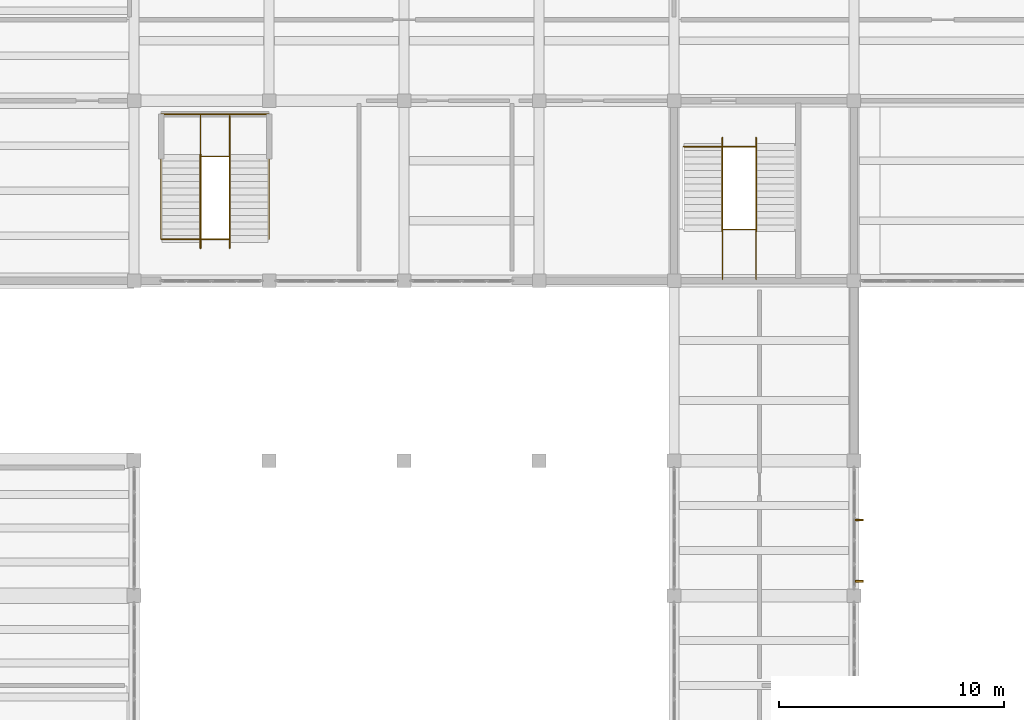
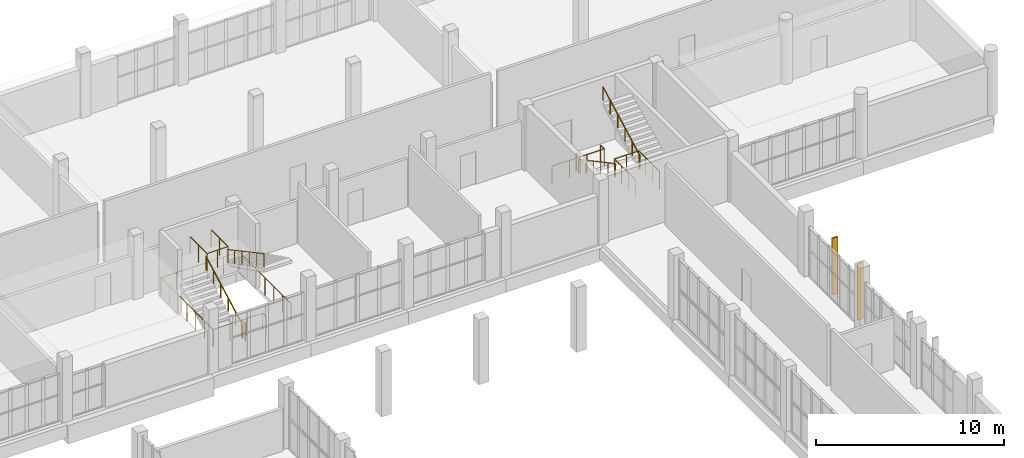
# One storey, part 82 of 85: 11 railings, 2 shading devices.
"""IFC4 building model written with IfcOpenShell, lengths in metres."""

from ifc_helpers import new_model, si_unit, direction, frame, origin, origin_2d, place, context, subcontext, project, spatial, rectangle, circle, extrude, material, type_object, element, save


model = new_model("IFC4")

# Units and contexts
model_context = context("Model", 3, precision=1e-05, world=origin(), true_north=direction((0.0, 1.0)))
body_context = subcontext(model_context, "Body", "Model", "MODEL_VIEW")
ifc_project = project(units=[si_unit("LENGTHUNIT", "METRE"), si_unit("AREAUNIT", "SQUARE_METRE"), si_unit("VOLUMEUNIT", "CUBIC_METRE"), si_unit("PLANEANGLEUNIT", "RADIAN"), si_unit("MASSUNIT", "GRAM", prefix="KILO")], contexts=[model_context])

# Site, building, storey
site_placement = place(None, origin())
site = spatial("IfcSite", under=ifc_project, at=site_placement, CompositionType="ELEMENT")
building_placement = place(site_placement, origin())
building = spatial("IfcBuilding", under=site, at=building_placement, Name="Solvane Community Centre", CompositionType="ELEMENT")
storey_placement = place(building_placement, frame((0.0, 0.0, 5.39990234375)))
storey = spatial("IfcBuildingStorey", under=building, at=storey_placement, Name="L01", CompositionType="ELEMENT", Elevation=5.39990234375)

# Shading devices
ifc_material = material(Name="Anodised bronze aluminium AW-6063 T6", Category="aluminium")
shading_device_type = type_object("IfcShadingDeviceType", Name="Art Deco Bronze Solar Fin 80x360", PredefinedType="USERDEFINED", material=ifc_material)
shading_device_1_placement = place(storey_placement, frame((68.239990234375, 75.360107421875, 0.14990234375), z_axis=(0.0, 0.0, 1.0), x_axis=(0.0, -1.0, 0.0)))
element("IfcShadingDevice", 1, at=shading_device_1_placement, inside=storey, type_object=shading_device_type, Name="Solar Brise-Soleil Fin 49", ObjectType="Solar Brise-Soleil Fin 49", PredefinedType="USERDEFINED", context=body_context, shape_type="SweptSolid", body=[
    extrude(rectangle(XDim=0.080078125, YDim=0.360107421875, at=origin_2d()), origin(), (0.0, 0.0, 1.0), 3.679931640625),
])
shading_device_2_placement = place(storey_placement, frame((68.239990234375, 72.639892578125, 0.14990234375), z_axis=(0.0, 0.0, 1.0), x_axis=(0.0, -1.0, 0.0)))
element("IfcShadingDevice", 2, at=shading_device_2_placement, inside=storey, type_object=shading_device_type, Name="Solar Brise-Soleil Fin 50", ObjectType="Solar Brise-Soleil Fin 50", PredefinedType="USERDEFINED", context=body_context, shape_type="SweptSolid", body=[
    extrude(rectangle(XDim=0.080078125, YDim=0.360107421875, at=origin_2d()), origin(), (0.0, 0.0, 1.0), 3.679931640625),
])

# Railings
railing_type_1 = type_object("IfcRailingType", Name="Interior Gallery & Stair Well Guard 1150mm", PredefinedType="BALUSTRADE", material=ifc_material)
railing_1_placement = place(storey_placement, frame((62.14990234375, 86.06005859375, 2.10009765625)))
element("IfcRailing", 3, at=railing_1_placement, inside=storey, type_object=railing_type_1, Name="Railing GR-L01-100", PredefinedType="BALUSTRADE", context=body_context, shape_type="SweptSolid", body=[
    extrude(circle(Radius=0.02392578125, at=origin_2d()), frame((0.0, 0.0, 1.1259765625), z_axis=(0.0, 1.0, 0.0), x_axis=(-1.0, 0.0, 0.0)), (0.0, 0.0, 1.0), 2.219970703125),
    extrude(circle(Radius=0.02392578125, at=origin_2d()), frame((0.0, 2.219970703125, 1.1259765625), z_axis=(1.0, 0.0, 0.0), x_axis=(0.0, 1.0, 0.0)), (0.0, 0.0, 1.0), 1.5),
    extrude(circle(Radius=0.02392578125, at=origin_2d()), frame((1.5, 2.219970703125, 1.1259765625), z_axis=(0.0, -1.0, 0.0), x_axis=(1.0, 0.0, 0.0)), (0.0, 0.0, 1.0), 2.219970703125),
    extrude(circle(Radius=0.02099609375, at=origin_2d()), origin(), (0.0, 0.0, 1.0), 1.101806640625),
    extrude(circle(Radius=0.02099609375, at=origin_2d()), frame((0.0, 0.739990234375, 0.0)), (0.0, 0.0, 1.0), 1.101806640625),
    extrude(circle(Radius=0.02099609375, at=origin_2d()), frame((0.0, 1.47998046875, 0.0)), (0.0, 0.0, 1.0), 1.101806640625),
    extrude(circle(Radius=0.02099609375, at=origin_2d()), frame((0.0, 2.219970703125, 0.0)), (0.0, 0.0, 1.0), 1.101806640625),
    extrude(circle(Radius=0.02099609375, at=origin_2d()), frame((0.75, 2.219970703125, 0.0)), (0.0, 0.0, 1.0), 1.101806640625),
    extrude(circle(Radius=0.02099609375, at=origin_2d()), frame((1.5, 2.219970703125, 0.0)), (0.0, 0.0, 1.0), 1.101806640625),
    extrude(circle(Radius=0.02099609375, at=origin_2d()), frame((1.5, 1.47998046875, 0.0)), (0.0, 0.0, 1.0), 1.101806640625),
    extrude(circle(Radius=0.02099609375, at=origin_2d()), frame((1.5, 0.739990234375, 0.0)), (0.0, 0.0, 1.0), 1.101806640625),
    extrude(circle(Radius=0.02099609375, at=origin_2d()), frame((1.5, 0.0, 0.0)), (0.0, 0.0, 1.0), 1.101806640625),
])
railing_2_placement = place(storey_placement, frame((60.43994140625, 91.9599609375, 0.0)))
element("IfcRailing", 4, at=railing_2_placement, inside=storey, type_object=railing_type_1, Name="Railing GR-L01-101", PredefinedType="BALUSTRADE", context=body_context, shape_type="SweptSolid", body=[
    extrude(circle(Radius=0.02392578125, at=origin_2d()), frame((0.0, 0.0, 1.1259765625), z_axis=(1.0, 0.0, 0.0), x_axis=(0.0, 1.0, 0.0)), (0.0, 0.0, 1.0), 3.2099609375),
    extrude(circle(Radius=0.02392578125, at=origin_2d()), frame((3.2099609375, 0.0, 1.1259765625), z_axis=(0.0, 1.0, 0.0), x_axis=(-1.0, 0.0, 0.0)), (0.0, 0.0, 1.0), 0.39013671875),
    extrude(circle(Radius=0.02099609375, at=origin_2d()), origin(), (0.0, 0.0, 1.0), 1.101806640625),
    extrude(circle(Radius=0.02099609375, at=origin_2d()), frame((1.070068359375, 0.0, 0.0)), (0.0, 0.0, 1.0), 1.101806640625),
    extrude(circle(Radius=0.02099609375, at=origin_2d()), frame((2.139892578125, 0.0, 0.0)), (0.0, 0.0, 1.0), 1.101806640625),
    extrude(circle(Radius=0.02099609375, at=origin_2d()), frame((3.2099609375, 0.0, 0.0)), (0.0, 0.0, 1.0), 1.101806640625),
    extrude(circle(Radius=0.02099609375, at=origin_2d()), frame((3.2099609375, 0.39013671875, 0.0)), (0.0, 0.0, 1.0), 1.101806640625),
])
railing_3_placement = place(storey_placement, frame((62.14990234375, 92.35009765625, 0.0)))
element("IfcRailing", 5, at=railing_3_placement, inside=storey, type_object=railing_type_1, Name="Railing GR-L01-102", PredefinedType="BALUSTRADE", context=body_context, shape_type="SweptSolid", body=[
    extrude(circle(Radius=0.02392578125, at=origin_2d()), frame((0.0, 0.0, 1.1259765625), z_axis=(0.0, -1.0, 0.0), x_axis=(1.0, 0.0, 0.0)), (0.0, 0.0, 1.0), 0.39013671875),
    extrude(circle(Radius=0.02099609375, at=origin_2d()), origin(), (0.0, 0.0, 1.0), 1.101806640625),
    extrude(circle(Radius=0.02099609375, at=origin_2d()), frame((0.0, -0.39013671875, 0.0)), (0.0, 0.0, 1.0), 1.101806640625),
])
railing_4_placement = place(storey_placement, frame((40.25, 87.840087890625, 0.0)))
element("IfcRailing", 6, at=railing_4_placement, inside=storey, type_object=railing_type_1, Name="Railing GR-L01-129", PredefinedType="BALUSTRADE", context=body_context, shape_type="SweptSolid", body=[
    extrude(circle(Radius=0.02392578125, at=origin_2d()), frame((0.0, 0.0, 1.1259765625), z_axis=(-1.0, 0.0, 0.0), x_axis=(0.0, -1.0, 0.0)), (0.0, 0.0, 1.0), 3.050048828125),
    extrude(circle(Radius=0.02392578125, at=origin_2d()), frame((-3.050048828125, 0.0, 1.1259765625), z_axis=(0.0, 1.0, 0.0), x_axis=(-1.0, 0.0, 0.0)), (0.0, 0.0, 1.0), 5.559814453125),
    extrude(circle(Radius=0.02392578125, at=origin_2d()), frame((-3.050048828125, 5.559814453125, 1.1259765625), z_axis=(1.0, 0.0, 0.0), x_axis=(0.0, 1.0, 0.0)), (0.0, 0.0, 1.0), 4.800048828125),
    extrude(circle(Radius=0.02392578125, at=origin_2d()), frame((1.75, 5.559814453125, 1.1259765625), z_axis=(0.0, -1.0, 0.0), x_axis=(1.0, 0.0, 0.0)), (0.0, 0.0, 1.0), 5.559814453125),
    extrude(circle(Radius=0.02099609375, at=origin_2d()), origin(), (0.0, 0.0, 1.0), 1.101806640625),
    extrude(circle(Radius=0.02099609375, at=origin_2d()), frame((-1.0166015625, 0.0, 0.0)), (0.0, 0.0, 1.0), 1.101806640625),
    extrude(circle(Radius=0.02099609375, at=origin_2d()), frame((-2.033447265625, 0.0, 0.0)), (0.0, 0.0, 1.0), 1.101806640625),
    extrude(circle(Radius=0.02099609375, at=origin_2d()), frame((-3.050048828125, 0.0, 0.0)), (0.0, 0.0, 1.0), 1.101806640625),
    extrude(circle(Radius=0.02099609375, at=origin_2d()), frame((-3.050048828125, 0.9267578125, 0.0)), (0.0, 0.0, 1.0), 1.101806640625),
    extrude(circle(Radius=0.02099609375, at=origin_2d()), frame((-3.050048828125, 1.853271484375, 0.0)), (0.0, 0.0, 1.0), 1.101806640625),
    extrude(circle(Radius=0.02099609375, at=origin_2d()), frame((-3.050048828125, 2.77978515625, 0.0)), (0.0, 0.0, 1.0), 1.101806640625),
    extrude(circle(Radius=0.02099609375, at=origin_2d()), frame((-3.050048828125, 3.70654296875, 0.0)), (0.0, 0.0, 1.0), 1.101806640625),
    extrude(circle(Radius=0.02099609375, at=origin_2d()), frame((-3.050048828125, 4.63330078125, 0.0)), (0.0, 0.0, 1.0), 1.101806640625),
    extrude(circle(Radius=0.02099609375, at=origin_2d()), frame((-3.050048828125, 5.559814453125, 0.0)), (0.0, 0.0, 1.0), 1.101806640625),
    extrude(circle(Radius=0.02099609375, at=origin_2d()), frame((-2.090087890625, 5.559814453125, 0.0)), (0.0, 0.0, 1.0), 1.101806640625),
    extrude(circle(Radius=0.02099609375, at=origin_2d()), frame((-1.130126953125, 5.559814453125, 0.0)), (0.0, 0.0, 1.0), 1.101806640625),
    extrude(circle(Radius=0.02099609375, at=origin_2d()), frame((-0.169921875, 5.559814453125, 0.0)), (0.0, 0.0, 1.0), 1.101806640625),
    extrude(circle(Radius=0.02099609375, at=origin_2d()), frame((0.7900390625, 5.559814453125, 0.0)), (0.0, 0.0, 1.0), 1.101806640625),
    extrude(circle(Radius=0.02099609375, at=origin_2d()), frame((1.75, 5.559814453125, 0.0)), (0.0, 0.0, 1.0), 1.101806640625),
    extrude(circle(Radius=0.02099609375, at=origin_2d()), frame((1.75, 4.63330078125, 0.0)), (0.0, 0.0, 1.0), 1.101806640625),
    extrude(circle(Radius=0.02099609375, at=origin_2d()), frame((1.75, 3.70654296875, 0.0)), (0.0, 0.0, 1.0), 1.101806640625),
    extrude(circle(Radius=0.02099609375, at=origin_2d()), frame((1.75, 2.77978515625, 0.0)), (0.0, 0.0, 1.0), 1.101806640625),
    extrude(circle(Radius=0.02099609375, at=origin_2d()), frame((1.75, 1.853271484375, 0.0)), (0.0, 0.0, 1.0), 1.101806640625),
    extrude(circle(Radius=0.02099609375, at=origin_2d()), frame((1.75, 0.9267578125, 0.0)), (0.0, 0.0, 1.0), 1.101806640625),
    extrude(circle(Radius=0.02099609375, at=origin_2d()), frame((1.75, 0.0, 0.0)), (0.0, 0.0, 1.0), 1.101806640625),
])
railing_5_placement = place(storey_placement, frame((38.949951171875, 93.340087890625, 2.10009765625)))
element("IfcRailing", 7, at=railing_5_placement, inside=storey, type_object=railing_type_1, Name="Railing GR-L01-132", PredefinedType="BALUSTRADE", context=body_context, shape_type="SweptSolid", body=[
    extrude(circle(Radius=0.02392578125, at=origin_2d()), frame((0.0, 0.0, 1.1259765625), z_axis=(0.0, -1.0, 0.0), x_axis=(1.0, 0.0, 0.0)), (0.0, 0.0, 1.0), 1.820068359375),
    extrude(circle(Radius=0.02392578125, at=origin_2d()), frame((0.0, -1.820068359375, 1.1259765625), z_axis=(1.0, 0.0, 0.0), x_axis=(0.0, 1.0, 0.0)), (0.0, 0.0, 1.0), 1.300048828125),
    extrude(circle(Radius=0.02392578125, at=origin_2d()), frame((1.300048828125, -1.820068359375, 1.1259765625), z_axis=(0.0, 1.0, 0.0), x_axis=(-1.0, 0.0, 0.0)), (0.0, 0.0, 1.0), 1.820068359375),
    extrude(circle(Radius=0.02099609375, at=origin_2d()), origin(), (0.0, 0.0, 1.0), 1.101806640625),
    extrude(circle(Radius=0.02099609375, at=origin_2d()), frame((0.0, -0.91015625, 0.0)), (0.0, 0.0, 1.0), 1.101806640625),
    extrude(circle(Radius=0.02099609375, at=origin_2d()), frame((0.0, -1.820068359375, 0.0)), (0.0, 0.0, 1.0), 1.101806640625),
    extrude(circle(Radius=0.02099609375, at=origin_2d()), frame((0.64990234375, -1.820068359375, 0.0)), (0.0, 0.0, 1.0), 1.101806640625),
    extrude(circle(Radius=0.02099609375, at=origin_2d()), frame((1.300048828125, -1.820068359375, 0.0)), (0.0, 0.0, 1.0), 1.101806640625),
    extrude(circle(Radius=0.02099609375, at=origin_2d()), frame((1.300048828125, -0.91015625, 0.0)), (0.0, 0.0, 1.0), 1.101806640625),
    extrude(circle(Radius=0.02099609375, at=origin_2d()), frame((1.300048828125, 0.0, 0.0)), (0.0, 0.0, 1.0), 1.101806640625),
])
railing_6_placement = place(storey_placement, frame((37.239990234375, 87.840087890625, 0.0)))
element("IfcRailing", 8, at=railing_6_placement, inside=storey, type_object=railing_type_1, Name="Railing GR-L01-133", PredefinedType="BALUSTRADE", context=body_context, shape_type="SweptSolid", body=[
    extrude(circle(Radius=0.02392578125, at=origin_2d()), frame((0.0, 0.0, 1.1259765625), z_axis=(1.0, 0.0, 0.0), x_axis=(0.0, 1.0, 0.0)), (0.0, 0.0, 1.0), 3.010009765625),
    extrude(circle(Radius=0.02392578125, at=origin_2d()), frame((3.010009765625, 0.0, 1.1259765625), z_axis=(0.0, -1.0, 0.0), x_axis=(1.0, 0.0, 0.0)), (0.0, 0.0, 1.0), 0.39013671875),
    extrude(circle(Radius=0.02099609375, at=origin_2d()), origin(), (0.0, 0.0, 1.0), 1.101806640625),
    extrude(circle(Radius=0.02099609375, at=origin_2d()), frame((1.00341796875, 0.0, 0.0)), (0.0, 0.0, 1.0), 1.101806640625),
    extrude(circle(Radius=0.02099609375, at=origin_2d()), frame((2.006591796875, 0.0, 0.0)), (0.0, 0.0, 1.0), 1.101806640625),
    extrude(circle(Radius=0.02099609375, at=origin_2d()), frame((3.010009765625, 0.0, 0.0)), (0.0, 0.0, 1.0), 1.101806640625),
    extrude(circle(Radius=0.02099609375, at=origin_2d()), frame((3.010009765625, -0.39013671875, 0.0)), (0.0, 0.0, 1.0), 1.101806640625),
])
railing_7_placement = place(storey_placement, frame((38.949951171875, 87.449951171875, 0.0)))
element("IfcRailing", 9, at=railing_7_placement, inside=storey, type_object=railing_type_1, Name="Railing GR-L01-134", PredefinedType="BALUSTRADE", context=body_context, shape_type="SweptSolid", body=[
    extrude(circle(Radius=0.02392578125, at=origin_2d()), frame((0.0, 0.0, 1.1259765625), z_axis=(0.0, 1.0, 0.0), x_axis=(-1.0, 0.0, 0.0)), (0.0, 0.0, 1.0), 0.39013671875),
    extrude(circle(Radius=0.02099609375, at=origin_2d()), origin(), (0.0, 0.0, 1.0), 1.101806640625),
    extrude(circle(Radius=0.02099609375, at=origin_2d()), frame((0.0, 0.39013671875, 0.0)), (0.0, 0.0, 1.0), 1.101806640625),
])
railing_type_2 = type_object("IfcRailingType", Name="Stair Pitch Handrail 900mm", PredefinedType="HANDRAIL", material=ifc_material)
railing_8_placement = place(storey_placement, frame((62.14990234375, 92.10009765625, 0.0)))
element("IfcRailing", 10, at=railing_8_placement, inside=storey, type_object=railing_type_2, Name="Railing HR-L01-098", PredefinedType="HANDRAIL", context=body_context, shape_type="SweptSolid", body=[
    extrude(circle(Radius=0.02392578125, at=origin_2d()), frame((0.0, 0.0, 0.8759765625), z_axis=(0.0, -0.881479153919, 0.472222935917), x_axis=(1.0, 0.0, 0.0)), (0.0, 0.0, 1.0), 4.447265625),
    extrude(circle(Radius=0.02099609375, at=origin_2d()), origin(), (0.0, 0.0, 1.0), 0.851806640625),
    extrude(circle(Radius=0.02099609375, at=origin_2d()), frame((0.0, -0.783935546875, 0.419921875)), (0.0, 0.0, 1.0), 0.851806640625),
    extrude(circle(Radius=0.02099609375, at=origin_2d()), frame((0.0, -1.568115234375, 0.840087890625)), (0.0, 0.0, 1.0), 0.851806640625),
    extrude(circle(Radius=0.02099609375, at=origin_2d()), frame((0.0, -2.35205078125, 1.260009765625)), (0.0, 0.0, 1.0), 0.851806640625),
    extrude(circle(Radius=0.02099609375, at=origin_2d()), frame((0.0, -3.13623046875, 1.68017578125)), (0.0, 0.0, 1.0), 0.851806640625),
    extrude(circle(Radius=0.02099609375, at=origin_2d()), frame((0.0, -3.920166015625, 2.10009765625)), (0.0, 0.0, 1.0), 0.851806640625),
])
for number, where, name in (
    (11, (63.64990234375, 88.179931640625, 2.10009765625), "Railing HR-L01-099"),
    (12, (38.949951171875, 87.699951171875, 0.0), "Railing HR-L01-130"),
):
    element("IfcRailing", number, at=place(storey_placement, frame(where)), inside=storey, type_object=railing_type_2, Name=name, PredefinedType="HANDRAIL", context=body_context, shape_type="SweptSolid", body=[
        extrude(circle(Radius=0.02392578125, at=origin_2d()), frame((0.0, 0.0, 0.8759765625), z_axis=(0.0, 0.881479153919, 0.472222935917), x_axis=(-1.0, 0.0, 0.0)), (0.0, 0.0, 1.0), 4.447265625),
        extrude(circle(Radius=0.02099609375, at=origin_2d()), origin(), (0.0, 0.0, 1.0), 0.851806640625),
        extrude(circle(Radius=0.02099609375, at=origin_2d()), frame((0.0, 0.783935546875, 0.419921875)), (0.0, 0.0, 1.0), 0.851806640625),
        extrude(circle(Radius=0.02099609375, at=origin_2d()), frame((0.0, 1.568115234375, 0.840087890625)), (0.0, 0.0, 1.0), 0.851806640625),
        extrude(circle(Radius=0.02099609375, at=origin_2d()), frame((0.0, 2.35205078125, 1.260009765625)), (0.0, 0.0, 1.0), 0.851806640625),
        extrude(circle(Radius=0.02099609375, at=origin_2d()), frame((0.0, 3.13623046875, 1.68017578125)), (0.0, 0.0, 1.0), 0.851806640625),
        extrude(circle(Radius=0.02099609375, at=origin_2d()), frame((0.0, 3.920166015625, 2.10009765625)), (0.0, 0.0, 1.0), 0.851806640625),
    ])
railing_9_placement = place(storey_placement, frame((40.25, 91.6201171875, 2.10009765625)))
element("IfcRailing", 13, at=railing_9_placement, inside=storey, type_object=railing_type_2, Name="Railing HR-L01-131", PredefinedType="HANDRAIL", context=body_context, shape_type="SweptSolid", body=[
    extrude(circle(Radius=0.02392578125, at=origin_2d()), frame((0.0, 0.0, 0.8759765625), z_axis=(0.0, -0.881479153919, 0.472222935917), x_axis=(1.0, 0.0, 0.0)), (0.0, 0.0, 1.0), 4.447265625),
    extrude(circle(Radius=0.02099609375, at=origin_2d()), origin(), (0.0, 0.0, 1.0), 0.851806640625),
    extrude(circle(Radius=0.02099609375, at=origin_2d()), frame((0.0, -0.783935546875, 0.419921875)), (0.0, 0.0, 1.0), 0.851806640625),
    extrude(circle(Radius=0.02099609375, at=origin_2d()), frame((0.0, -1.568115234375, 0.840087890625)), (0.0, 0.0, 1.0), 0.851806640625),
    extrude(circle(Radius=0.02099609375, at=origin_2d()), frame((0.0, -2.35205078125, 1.260009765625)), (0.0, 0.0, 1.0), 0.851806640625),
    extrude(circle(Radius=0.02099609375, at=origin_2d()), frame((0.0, -3.13623046875, 1.68017578125)), (0.0, 0.0, 1.0), 0.851806640625),
    extrude(circle(Radius=0.02099609375, at=origin_2d()), frame((0.0, -3.920166015625, 2.10009765625)), (0.0, 0.0, 1.0), 0.851806640625),
])

save(model, "model.ifc")
